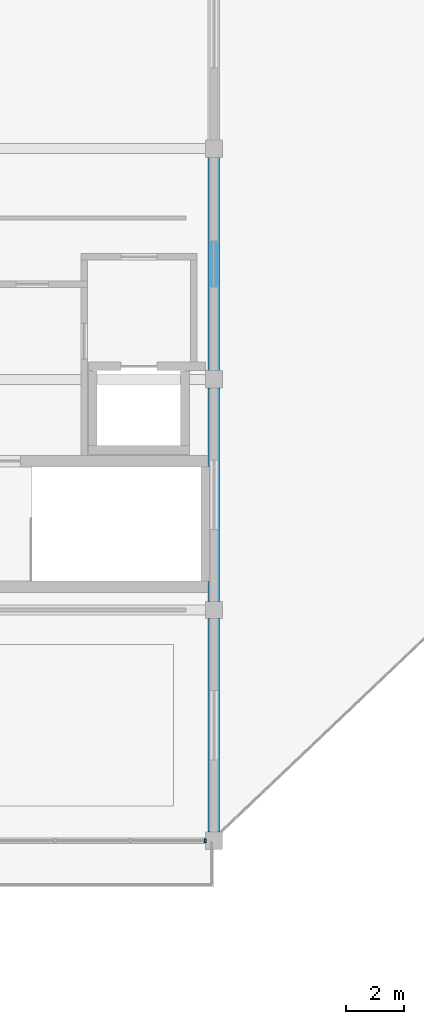
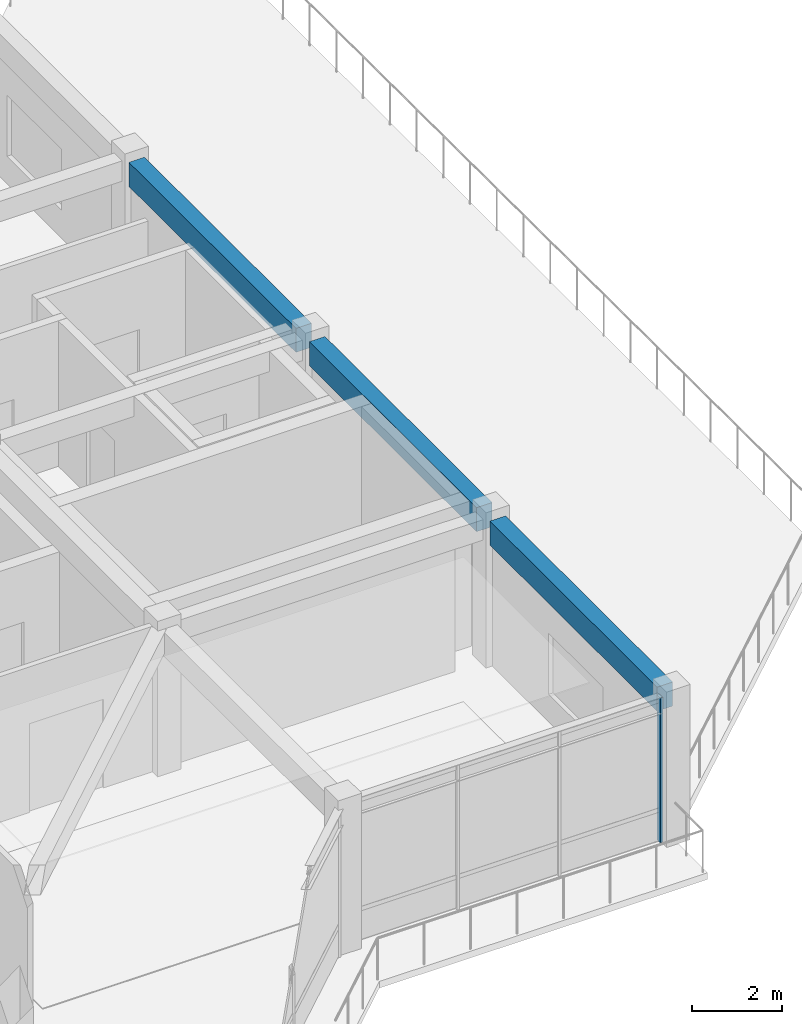
# One storey, part 4 of 11: 3 beams, 1 member, 1 element without a shape of its own.
"""IFC4 building model written with IfcOpenShell, lengths in metres."""

from ifc_helpers import new_model, si_unit, direction, frame, origin, origin_2d, place, context, subcontext, project, spatial, rectangle, extrude, material, layer, layer_set, material_profile, profile_set, type_object, element, aggregate, save


model = new_model("IFC4")

# Units and contexts
model_context = context("Model", 3, precision=1e-05, world=origin(), true_north=direction((0.0, 1.0)))
body_context = subcontext(model_context, "Body", "Model", "MODEL_VIEW")
ifc_project = project(units=[si_unit("LENGTHUNIT", "METRE"), si_unit("AREAUNIT", "SQUARE_METRE"), si_unit("VOLUMEUNIT", "CUBIC_METRE"), si_unit("PLANEANGLEUNIT", "RADIAN"), si_unit("MASSUNIT", "GRAM", prefix="KILO")], contexts=[model_context])

# Site, building, storey
site_placement = place(None, origin())
site = spatial("IfcSite", under=ifc_project, at=site_placement, CompositionType="ELEMENT")
building_placement = place(site_placement, origin())
building = spatial("IfcBuilding", under=site, at=building_placement, Name="Naruveol Harbour Congress Hotel", CompositionType="ELEMENT")
storey_placement = place(building_placement, frame((0.0, 0.0, 47.39990234375)))
storey = spatial("IfcBuildingStorey", under=building, at=storey_placement, Name="L11", CompositionType="ELEMENT", Elevation=47.39990234375)

# Beams
ifc_material_1 = material(Name="Concrete C40/50", Category="concrete")
ifc_material_profile_1 = material_profile(ifc_material_1, rectangle(XDim=0.39990234375, YDim=0.64990234375, at=origin_2d()), Name="RCB-400x650")
ifc_profile_set_1 = profile_set([ifc_material_profile_1], Name="Concrete C40/50")
beam_type = type_object("IfcBeamType", Name="RC HOTEL BEAM 400X650", PredefinedType="BEAM", material=ifc_profile_set_1)
for number, where, z_axis, x_axis, name in (
    (1, (159.60009765625, 8.2958984375, 3.614990234375), (0.0, 1.0, 0.0), (-1.0, 0.0, 0.0), "Hotel transverse beam RF CB4"),
    (2, (159.60009765625, 16.2958984375, 3.614990234375), (0.0, 1.0, 0.0), (-1.0, 0.0, 0.0), "Hotel transverse beam RF CB4"),
    (3, (159.60009765625, 24.2958984375, 3.614990234375), (0.0, 1.0, 0.0), (-1.0, 0.0, 0.0), "Hotel transverse beam RF CB4"),
):
    element("IfcBeam", number, at=place(storey_placement, frame(where, z_axis=z_axis, x_axis=x_axis)), inside=storey, type_object=beam_type, Name=name, PredefinedType="BEAM", context=body_context, shape_type="SweptSolid", body=[
        extrude(rectangle(XDim=0.39990234375, YDim=0.64990234375, at=origin_2d()), origin(), (0.0, 0.0, 1.0), 7.408203125),
    ])

# Curtain wall, member
ifc_material_2 = material(Name="Low-E Curtain Wall System", Category="glass")
ifc_layer = layer(ifc_material_2, 0.179931640625)
ifc_layer_set = layer_set([ifc_layer], Name="Low-E Curtain Wall System")
curtain_wall_type = type_object("IfcCurtainWallType", Name="UNITISED CURTAIN WALL CW-V5CR-56 7800X3920", PredefinedType="USERDEFINED", material=ifc_layer_set)
curtain_wall_placement = place(storey_placement, origin())
curtain_wall = element("IfcCurtainWall", 4, at=curtain_wall_placement, inside=storey, type_object=curtain_wall_type, Name="Unitised curtain wall CW-V5CR-56 L11", ObjectType="UNITISED GLAZING", PredefinedType="USERDEFINED")
ifc_material_3 = material(Name="Anodised Aluminium 6063-T6", Category="aluminium")
ifc_material_profile_2 = material_profile(ifc_material_3, rectangle(XDim=0.06494140625, YDim=0.14990234375, at=origin_2d()), Name="ALU-65x150")
ifc_profile_set_2 = profile_set([ifc_material_profile_2], Name="Anodised Aluminium 6063-T6")
member_type = type_object("IfcMemberType", Name="THERMAL ALUMINIUM MULLION 65X150", PredefinedType="MULLION", material=ifc_profile_set_2)
member_placement = place(storey_placement, frame((159.300048828125, 8.0, 0.0), z_axis=(0.0, 0.0, 1.0), x_axis=(1.0, 0.0, 0.0)))
member = element("IfcMember", 5, at=member_placement, type_object=member_type, Name="Curtain wall mullion CW-L11-0153-M0", PredefinedType="MULLION", context=body_context, shape_type="SweptSolid", body=[
    extrude(rectangle(XDim=0.06494140625, YDim=0.14990234375, at=origin_2d()), origin(), (0.0, 0.0, 1.0), 3.920166015625),
])
aggregate(curtain_wall, [member])

save(model, "model.ifc")
